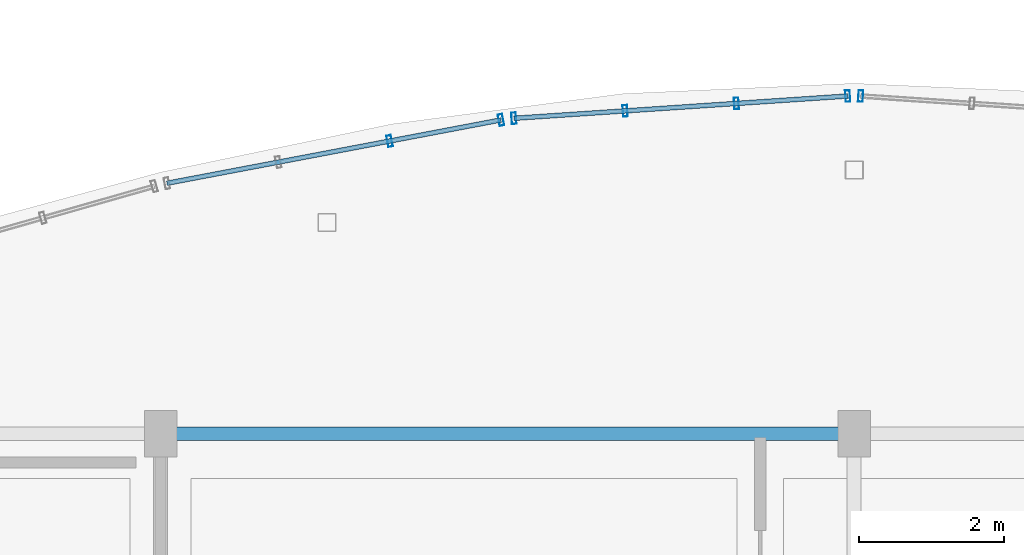
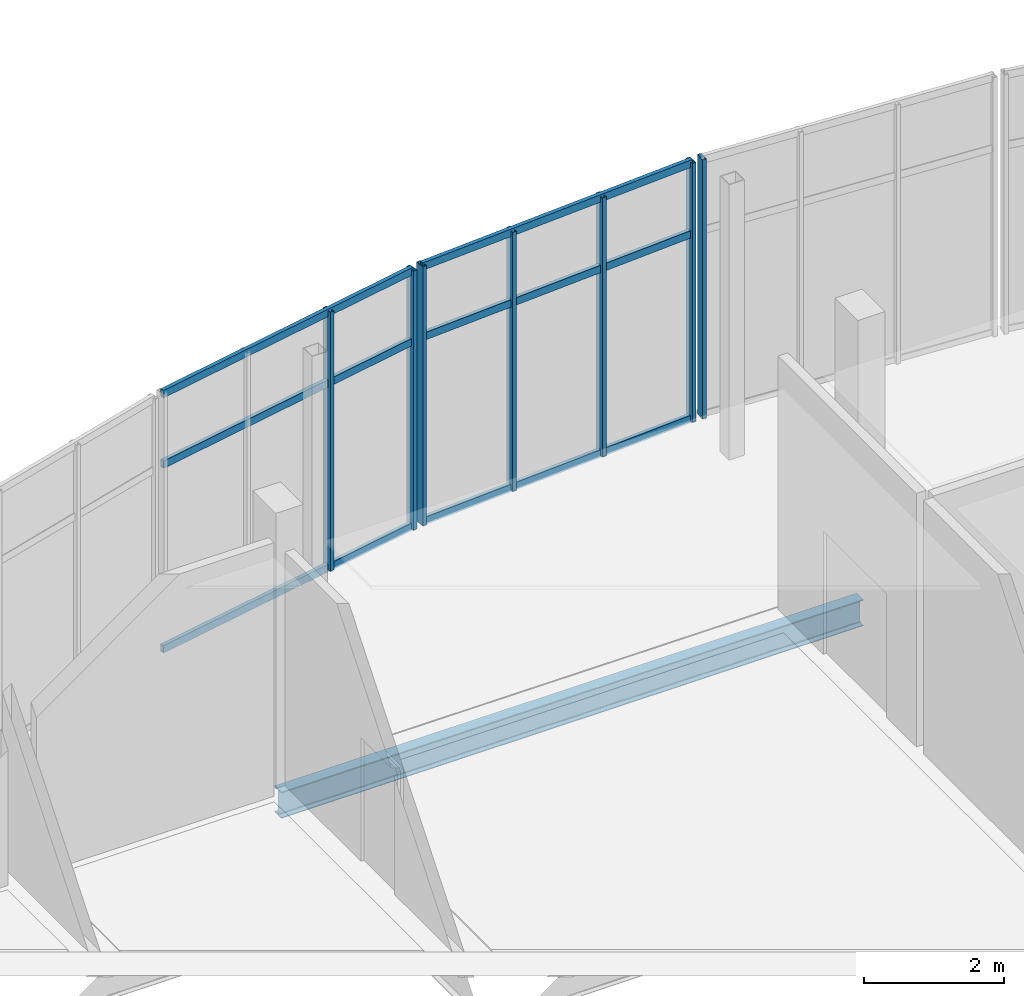
# One storey, part 38 of 157: 13 members, 1 beam, 3 elements without a shape of their own.
"""IFC4 building model written with IfcOpenShell, lengths in metres."""

from ifc_helpers import new_model, si_unit, direction, frame, origin, origin_2d, place, context, subcontext, project, spatial, hollow_rectangle, i_section, extrude, material, layer, layer_set, material_profile, profile_set, type_object, element, aggregate, save


model = new_model("IFC4")

# Units and contexts
model_context = context("Model", 3, precision=1e-05, world=origin(), true_north=direction((0.0, 1.0)))
body_context = subcontext(model_context, "Body", "Model", "MODEL_VIEW")
ifc_project = project(units=[si_unit("LENGTHUNIT", "METRE"), si_unit("AREAUNIT", "SQUARE_METRE"), si_unit("VOLUMEUNIT", "CUBIC_METRE"), si_unit("PLANEANGLEUNIT", "RADIAN"), si_unit("MASSUNIT", "GRAM", prefix="KILO")], contexts=[model_context])

# Site, building, storey
site_placement = place(None, origin())
site = spatial("IfcSite", under=ifc_project, at=site_placement, CompositionType="ELEMENT")
building_placement = place(site_placement, origin())
building = spatial("IfcBuilding", under=site, at=building_placement, Name="Chalmorin Arch Market", CompositionType="ELEMENT")
storey_placement = place(building_placement, frame((0.0, 0.0, 4.800048828125)))
storey = spatial("IfcBuildingStorey", under=building, at=storey_placement, Name="L01", CompositionType="ELEMENT", Elevation=4.800048828125)

# Curtain wall, members
ifc_material_1 = material(Name="Aluminium 6063-T6", Category="aluminium")
ifc_layer_1 = layer(ifc_material_1, 0.159912109375)
ifc_layer_set_1 = layer_set([ifc_layer_1], Name="Aluminium 6063-T6")
curtain_wall_type_1 = type_object("IfcCurtainWallType", Name="RiverfrontStorefrontCurtainWall-CW2-4710x4520", PredefinedType="NOTDEFINED", material=ifc_layer_set_1)
curtain_wall_1_placement = place(storey_placement, origin())
curtain_wall_1 = element("IfcCurtainWall", 1, at=curtain_wall_1_placement, inside=storey, type_object=curtain_wall_type_1, Name="CW-02-076", PredefinedType="NOTDEFINED")
ifc_material_profile_1 = material_profile(ifc_material_1, hollow_rectangle(XDim=0.06494140625, YDim=0.159912109375, WallThickness=0.00390625, at=origin_2d()), Name="ALU65X160X4")
ifc_profile_set_1 = profile_set([ifc_material_profile_1], Name="Aluminium 6063-T6")
member_type_1 = type_object("IfcMemberType", Name="CurtainWallMullion-65x160", PredefinedType="MULLION", material=ifc_profile_set_1)
member_1_placement = place(storey_placement, frame((12.7705078125, 54.051025390625, 0.0), z_axis=(0.0, 0.0, 1.0), x_axis=(0.981627183448, 0.190808995377, 0.0)))
member_1 = element("IfcMember", 2, at=member_1_placement, type_object=member_type_1, Name="ML-076-03", PredefinedType="MULLION", context=body_context, shape_type="SweptSolid", body=[
    extrude(hollow_rectangle(XDim=0.06494140625, YDim=0.159912109375, WallThickness=0.00390625, at=origin_2d()), origin(), (0.0, 0.0, 1.0), 4.52001953125),
])
member_2_placement = place(storey_placement, frame((14.3115234375, 54.34326171875, 0.0), z_axis=(0.0, 0.0, 1.0), x_axis=(0.981627183448, 0.190808995377, 0.0)))
member_2 = element("IfcMember", 3, at=member_2_placement, type_object=member_type_1, Name="ML-076-04", PredefinedType="MULLION", context=body_context, shape_type="SweptSolid", body=[
    extrude(hollow_rectangle(XDim=0.06494140625, YDim=0.159912109375, WallThickness=0.00390625, at=origin_2d()), origin(), (0.0, 0.0, 1.0), 4.52001953125),
])

ifc_layer_2 = layer(ifc_material_1, 0.159912109375)
ifc_layer_set_2 = layer_set([ifc_layer_2], Name="Aluminium 6063-T6")
curtain_wall_type_2 = type_object("IfcCurtainWallType", Name="RiverfrontStorefrontCurtainWall-CW2-4630x4520", PredefinedType="NOTDEFINED", material=ifc_layer_set_2)
curtain_wall_2_placement = place(storey_placement, origin())
curtain_wall_2 = element("IfcCurtainWall", 4, at=curtain_wall_2_placement, inside=storey, type_object=curtain_wall_type_2, Name="CW-02-079", PredefinedType="NOTDEFINED")
member_3_placement = place(storey_placement, frame((14.48974609375, 54.365966796875, 0.0), z_axis=(0.0, 0.0, 1.0), x_axis=(0.99756405026, 0.069756473744, 0.0)))
member_3 = element("IfcMember", 5, at=member_3_placement, type_object=member_type_1, Name="ML-079-01", PredefinedType="MULLION", context=body_context, shape_type="SweptSolid", body=[
    extrude(hollow_rectangle(XDim=0.06494140625, YDim=0.159912109375, WallThickness=0.00390625, at=origin_2d()), origin(), (0.0, 0.0, 1.0), 4.52001953125),
])
member_4_placement = place(storey_placement, frame((16.02978515625, 54.46875, 0.0), z_axis=(0.0, 0.0, 1.0), x_axis=(0.99756405026, 0.069756473744, 0.0)))
member_4 = element("IfcMember", 6, at=member_4_placement, type_object=member_type_1, Name="ML-079-02", PredefinedType="MULLION", context=body_context, shape_type="SweptSolid", body=[
    extrude(hollow_rectangle(XDim=0.06494140625, YDim=0.159912109375, WallThickness=0.00390625, at=origin_2d()), origin(), (0.0, 0.0, 1.0), 4.52001953125),
])
member_5_placement = place(storey_placement, frame((17.570068359375, 54.5712890625, 0.0), z_axis=(0.0, 0.0, 1.0), x_axis=(0.99756405026, 0.069756473744, 0.0)))
member_5 = element("IfcMember", 7, at=member_5_placement, type_object=member_type_1, Name="ML-079-03", PredefinedType="MULLION", context=body_context, shape_type="SweptSolid", body=[
    extrude(hollow_rectangle(XDim=0.06494140625, YDim=0.159912109375, WallThickness=0.00390625, at=origin_2d()), origin(), (0.0, 0.0, 1.0), 4.52001953125),
])
member_6_placement = place(storey_placement, frame((19.110107421875, 54.674072265625, 0.0), z_axis=(0.0, 0.0, 1.0), x_axis=(0.99756405026, 0.069756473744, 0.0)))
member_6 = element("IfcMember", 8, at=member_6_placement, type_object=member_type_1, Name="ML-079-04", PredefinedType="MULLION", context=body_context, shape_type="SweptSolid", body=[
    extrude(hollow_rectangle(XDim=0.06494140625, YDim=0.159912109375, WallThickness=0.00390625, at=origin_2d()), origin(), (0.0, 0.0, 1.0), 4.52001953125),
])

# Curtain wall, member
curtain_wall_3_placement = place(storey_placement, origin())
curtain_wall_3 = element("IfcCurtainWall", 9, at=curtain_wall_3_placement, inside=storey, type_object=curtain_wall_type_2, Name="CW-02-082", PredefinedType="NOTDEFINED")
member_7_placement = place(storey_placement, frame((19.289794921875, 54.674072265625, 0.0), z_axis=(0.0, 0.0, 1.0), x_axis=(0.99756405026, -0.069756473744, 0.0)))
member_7 = element("IfcMember", 10, at=member_7_placement, type_object=member_type_1, Name="ML-082-01", PredefinedType="MULLION", context=body_context, shape_type="SweptSolid", body=[
    extrude(hollow_rectangle(XDim=0.06494140625, YDim=0.159912109375, WallThickness=0.00390625, at=origin_2d()), origin(), (0.0, 0.0, 1.0), 4.52001953125),
])
aggregate(curtain_wall_3, [member_7])

# Member
ifc_material_profile_2 = material_profile(ifc_material_1, hollow_rectangle(XDim=0.06494140625, YDim=0.1298828125, WallThickness=0.00390625, at=origin_2d()), Name="ALU65X130X4")
ifc_profile_set_2 = profile_set([ifc_material_profile_2], Name="Aluminium 6063-T6")
member_type_2 = type_object("IfcMemberType", Name="CurtainWallTransom-65x130", PredefinedType="USERDEFINED", material=ifc_profile_set_2)
member_8_placement = place(storey_placement, frame((9.6884765625, 53.466796875, 0.034912109375), z_axis=(0.982498968618, 0.186268023729, 0.0), x_axis=(-0.186268023729, 0.982498968618, 0.0)))
member_8 = element("IfcMember", 11, at=member_8_placement, type_object=member_type_2, Name="TR-076-01", ObjectType="TRANSOM", PredefinedType="USERDEFINED", context=body_context, shape_type="SweptSolid", body=[
    extrude(hollow_rectangle(XDim=0.06494140625, YDim=0.1298828125, WallThickness=0.00390625, at=origin_2d()), origin(), (0.0, 0.0, 1.0), 4.705322265625),
])

member_9_placement = place(storey_placement, frame((9.6884765625, 53.466796875, 3.25439453125), z_axis=(0.982498968618, 0.186268023729, 0.0), x_axis=(-0.186268023729, 0.982498968618, 0.0)))
member_9 = element("IfcMember", 12, at=member_9_placement, type_object=member_type_2, Name="TR-076-02", ObjectType="TRANSOM", PredefinedType="USERDEFINED", context=body_context, shape_type="SweptSolid", body=[
    extrude(hollow_rectangle(XDim=0.06494140625, YDim=0.1298828125, WallThickness=0.00390625, at=origin_2d()), origin(), (0.0, 0.0, 1.0), 4.705322265625),
])

member_10_placement = place(storey_placement, frame((9.6884765625, 53.466796875, 4.48486328125), z_axis=(0.982498968618, 0.186268023729, 0.0), x_axis=(-0.186268023729, 0.982498968618, 0.0)))
member_10 = element("IfcMember", 13, at=member_10_placement, type_object=member_type_2, Name="TR-076-03", ObjectType="TRANSOM", PredefinedType="USERDEFINED", context=body_context, shape_type="SweptSolid", body=[
    extrude(hollow_rectangle(XDim=0.06494140625, YDim=0.1298828125, WallThickness=0.00390625, at=origin_2d()), origin(), (0.0, 0.0, 1.0), 4.705322265625),
])

aggregate(curtain_wall_1, [member_1, member_2, member_8, member_9, member_10])

member_11_placement = place(storey_placement, frame((14.48974609375, 54.365966796875, 0.034912109375), z_axis=(0.997783991264, 0.066536507106, 0.0), x_axis=(-0.066536507106, 0.997783991264, 0.0)))
member_11 = element("IfcMember", 14, at=member_11_placement, type_object=member_type_2, Name="TR-079-01", ObjectType="TRANSOM", PredefinedType="USERDEFINED", context=body_context, shape_type="SweptSolid", body=[
    extrude(hollow_rectangle(XDim=0.06494140625, YDim=0.1298828125, WallThickness=0.00390625, at=origin_2d()), origin(), (0.0, 0.0, 1.0), 4.630615234375),
])

member_12_placement = place(storey_placement, frame((14.48974609375, 54.365966796875, 3.25439453125), z_axis=(0.997783991264, 0.066536507106, 0.0), x_axis=(-0.066536507106, 0.997783991264, 0.0)))
member_12 = element("IfcMember", 15, at=member_12_placement, type_object=member_type_2, Name="TR-079-02", ObjectType="TRANSOM", PredefinedType="USERDEFINED", context=body_context, shape_type="SweptSolid", body=[
    extrude(hollow_rectangle(XDim=0.06494140625, YDim=0.1298828125, WallThickness=0.00390625, at=origin_2d()), origin(), (0.0, 0.0, 1.0), 4.630615234375),
])

member_13_placement = place(storey_placement, frame((14.48974609375, 54.365966796875, 4.48486328125), z_axis=(0.997783991264, 0.066536507106, 0.0), x_axis=(-0.066536507106, 0.997783991264, 0.0)))
member_13 = element("IfcMember", 16, at=member_13_placement, type_object=member_type_2, Name="TR-079-03", ObjectType="TRANSOM", PredefinedType="USERDEFINED", context=body_context, shape_type="SweptSolid", body=[
    extrude(hollow_rectangle(XDim=0.06494140625, YDim=0.1298828125, WallThickness=0.00390625, at=origin_2d()), origin(), (0.0, 0.0, 1.0), 4.630615234375),
])

aggregate(curtain_wall_2, [member_3, member_4, member_5, member_6, member_11, member_12, member_13])

# Beam
ifc_material_2 = material(Name="Steel A992 Grade 50", Category="steel")
ifc_material_profile_3 = material_profile(ifc_material_2, i_section(OverallWidth=0.19091796875, OverallDepth=0.45703125, WebThickness=0.009033203125, FlangeThickness=0.014404296875, FilletRadius=0.02001953125, at=origin_2d()), Name="W18X50")
ifc_profile_set_3 = profile_set([ifc_material_profile_3], Name="Steel A992 Grade 50")
beam_type = type_object("IfcBeamType", Name="PerimeterSpandrelBeam-W18X50", PredefinedType="SPANDREL", material=ifc_profile_set_3)
beam_placement = place(storey_placement, frame((9.60009765625, 50.0, -0.510498046875), z_axis=(1.0, 0.0, 0.0), x_axis=(0.0, 1.0, 0.0)))
element("IfcBeam", 17, at=beam_placement, inside=storey, type_object=beam_type, Name="SP-W18-0821", PredefinedType="SPANDREL", context=body_context, shape_type="SweptSolid", body=[
    extrude(i_section(OverallWidth=0.19091796875, OverallDepth=0.45703125, WebThickness=0.009033203125, FlangeThickness=0.014404296875, FilletRadius=0.02001953125, at=origin_2d()), origin(), (0.0, 0.0, 1.0), 9.599853515625),
])

save(model, "model.ifc")
